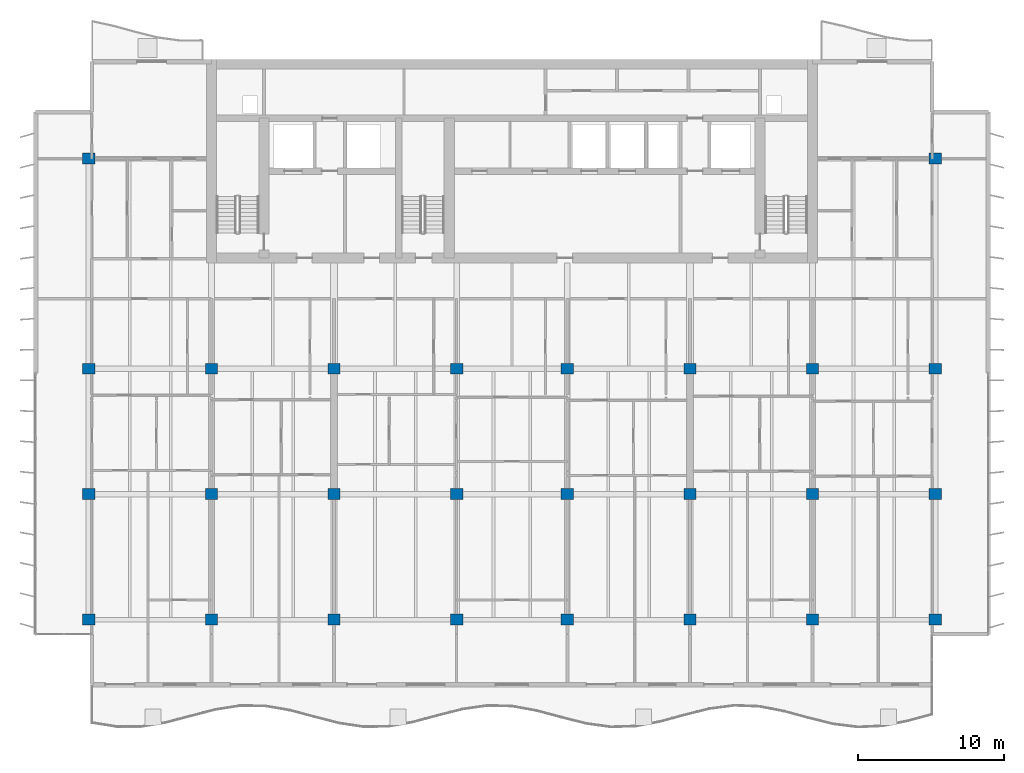
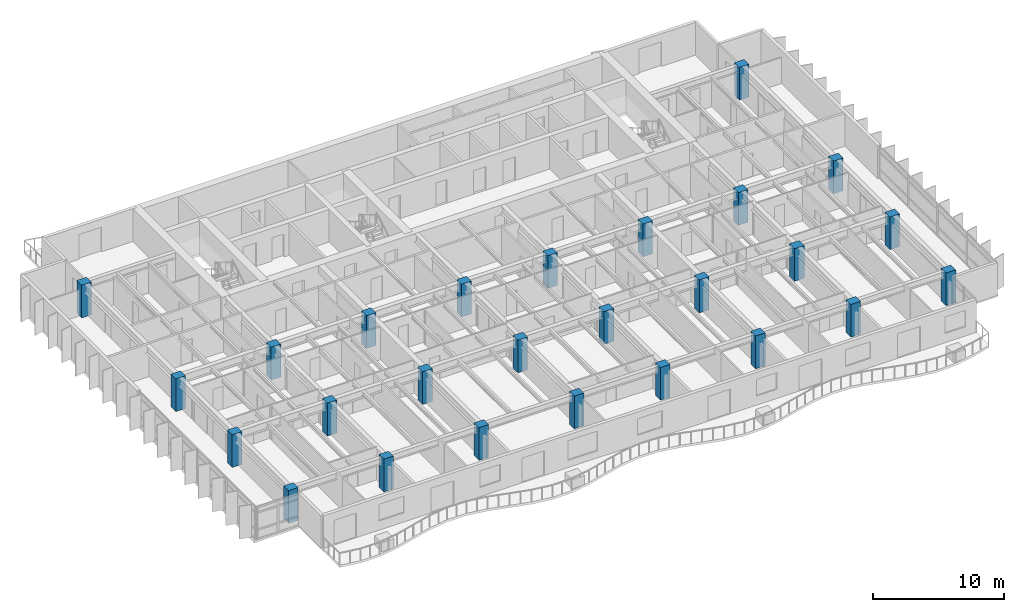
# One storey, part 1 of 19: 26 columns.
"""IFC4 building model written with IfcOpenShell, lengths in metres."""

from ifc_helpers import new_model, si_unit, direction, frame, origin, origin_2d, place, context, subcontext, project, spatial, rectangle, extrude, material, material_profile, profile_set, type_object, element, save


model = new_model("IFC4")

# Units and contexts
model_context = context("Model", 3, precision=1e-05, world=origin(), true_north=direction((0.0, 1.0)))
body_context = subcontext(model_context, "Body", "Model", "MODEL_VIEW")
ifc_project = project(units=[si_unit("LENGTHUNIT", "METRE"), si_unit("AREAUNIT", "SQUARE_METRE"), si_unit("VOLUMEUNIT", "CUBIC_METRE"), si_unit("PLANEANGLEUNIT", "RADIAN"), si_unit("MASSUNIT", "GRAM", prefix="KILO")], contexts=[model_context])

# Site, building, storey
site_placement = place(None, origin())
site = spatial("IfcSite", under=ifc_project, at=site_placement, CompositionType="ELEMENT")
building_placement = place(site_placement, origin())
building = spatial("IfcBuilding", under=site, at=building_placement, Name="Caelmar Bay Residences", CompositionType="ELEMENT")
storey_placement = place(building_placement, frame((0.0, 0.0, 160.5)))
storey = spatial("IfcBuildingStorey", under=building, at=storey_placement, Name="L44", CompositionType="ELEMENT", Elevation=160.5)

# Columns
ifc_material = material(Name="Concrete f'c 55 MPa (8,000 psi)", Category="concrete")
ifc_material_profile = material_profile(ifc_material, rectangle(XDim=0.85009765625, YDim=0.75, at=origin_2d()), Name="RC-COL-850X750")
ifc_profile_set = profile_set([ifc_material_profile], Name="Concrete f'c 55 MPa (8,000 psi)")
column_type = type_object("IfcColumnType", Name="COL-RC-850X750", PredefinedType="COLUMN", material=ifc_profile_set)
for number, where, z_axis, x_axis, name in (
    (1, (9.89990234375, 12.199951171875, 0.0), (0.0, 0.0, 1.0), (1.0, 0.0, 0.0), "L44 Column (9.90,12.20)"),
    (2, (18.300048828125, 12.199951171875, 0.0), (0.0, 0.0, 1.0), (1.0, 0.0, 0.0), "L44 Column (18.30,12.20)"),
    (3, (26.699951171875, 12.199951171875, 0.0), (0.0, 0.0, 1.0), (1.0, 0.0, 0.0), "L44 Column (26.70,12.20)"),
    (4, (35.10009765625, 12.199951171875, 0.0), (0.0, 0.0, 1.0), (1.0, 0.0, 0.0), "L44 Column (35.10,12.20)"),
    (5, (42.699951171875, 12.199951171875, 0.0), (0.0, 0.0, 1.0), (1.0, 0.0, 0.0), "L44 Column (42.70,12.20)"),
    (6, (51.10009765625, 12.199951171875, 0.0), (0.0, 0.0, 1.0), (1.0, 0.0, 0.0), "L44 Column (51.10,12.20)"),
    (7, (59.5, 12.199951171875, 0.0), (0.0, 0.0, 1.0), (1.0, 0.0, 0.0), "L44 Column (59.50,12.20)"),
    (8, (67.89990234375, 12.199951171875, 0.0), (0.0, 0.0, 1.0), (1.0, 0.0, 0.0), "L44 Column (67.90,12.20)"),
    (9, (9.89990234375, 20.800048828125, 0.0), (0.0, 0.0, 1.0), (1.0, 0.0, 0.0), "L44 Column (9.90,20.80)"),
    (10, (18.300048828125, 20.800048828125, 0.0), (0.0, 0.0, 1.0), (1.0, 0.0, 0.0), "L44 Column (18.30,20.80)"),
    (11, (26.699951171875, 20.800048828125, 0.0), (0.0, 0.0, 1.0), (1.0, 0.0, 0.0), "L44 Column (26.70,20.80)"),
    (12, (35.10009765625, 20.800048828125, 0.0), (0.0, 0.0, 1.0), (1.0, 0.0, 0.0), "L44 Column (35.10,20.80)"),
    (13, (42.699951171875, 20.800048828125, 0.0), (0.0, 0.0, 1.0), (1.0, 0.0, 0.0), "L44 Column (42.70,20.80)"),
    (14, (51.10009765625, 20.800048828125, 0.0), (0.0, 0.0, 1.0), (1.0, 0.0, 0.0), "L44 Column (51.10,20.80)"),
    (15, (59.5, 20.800048828125, 0.0), (0.0, 0.0, 1.0), (1.0, 0.0, 0.0), "L44 Column (59.50,20.80)"),
    (16, (67.89990234375, 20.800048828125, 0.0), (0.0, 0.0, 1.0), (1.0, 0.0, 0.0), "L44 Column (67.90,20.80)"),
    (17, (9.89990234375, 29.39990234375, 0.0), (0.0, 0.0, 1.0), (1.0, 0.0, 0.0), "L44 Column (9.90,29.40)"),
    (18, (18.300048828125, 29.39990234375, 0.0), (0.0, 0.0, 1.0), (1.0, 0.0, 0.0), "L44 Column (18.30,29.40)"),
    (19, (26.699951171875, 29.39990234375, 0.0), (0.0, 0.0, 1.0), (1.0, 0.0, 0.0), "L44 Column (26.70,29.40)"),
    (20, (35.10009765625, 29.39990234375, 0.0), (0.0, 0.0, 1.0), (1.0, 0.0, 0.0), "L44 Column (35.10,29.40)"),
    (21, (42.699951171875, 29.39990234375, 0.0), (0.0, 0.0, 1.0), (1.0, 0.0, 0.0), "L44 Column (42.70,29.40)"),
    (22, (51.10009765625, 29.39990234375, 0.0), (0.0, 0.0, 1.0), (1.0, 0.0, 0.0), "L44 Column (51.10,29.40)"),
    (23, (59.5, 29.39990234375, 0.0), (0.0, 0.0, 1.0), (1.0, 0.0, 0.0), "L44 Column (59.50,29.40)"),
    (24, (67.89990234375, 29.39990234375, 0.0), (0.0, 0.0, 1.0), (1.0, 0.0, 0.0), "L44 Column (67.90,29.40)"),
    (25, (9.89990234375, 43.800048828125, 0.0), (0.0, 0.0, 1.0), (1.0, 0.0, 0.0), "L44 Column (9.90,43.80)"),
    (26, (67.89990234375, 43.800048828125, 0.0), (0.0, 0.0, 1.0), (1.0, 0.0, 0.0), "L44 Column (67.90,43.80)"),
):
    element("IfcColumn", number, at=place(storey_placement, frame(where, z_axis=z_axis, x_axis=x_axis)), inside=storey, type_object=column_type, Name=name, PredefinedType="COLUMN", context=body_context, shape_type="SweptSolid", body=[
        extrude(rectangle(XDim=0.85009765625, YDim=0.75, at=origin_2d()), origin(), (0.0, 0.0, 1.0), 3.050048828125),
    ])

save(model, "model.ifc")
